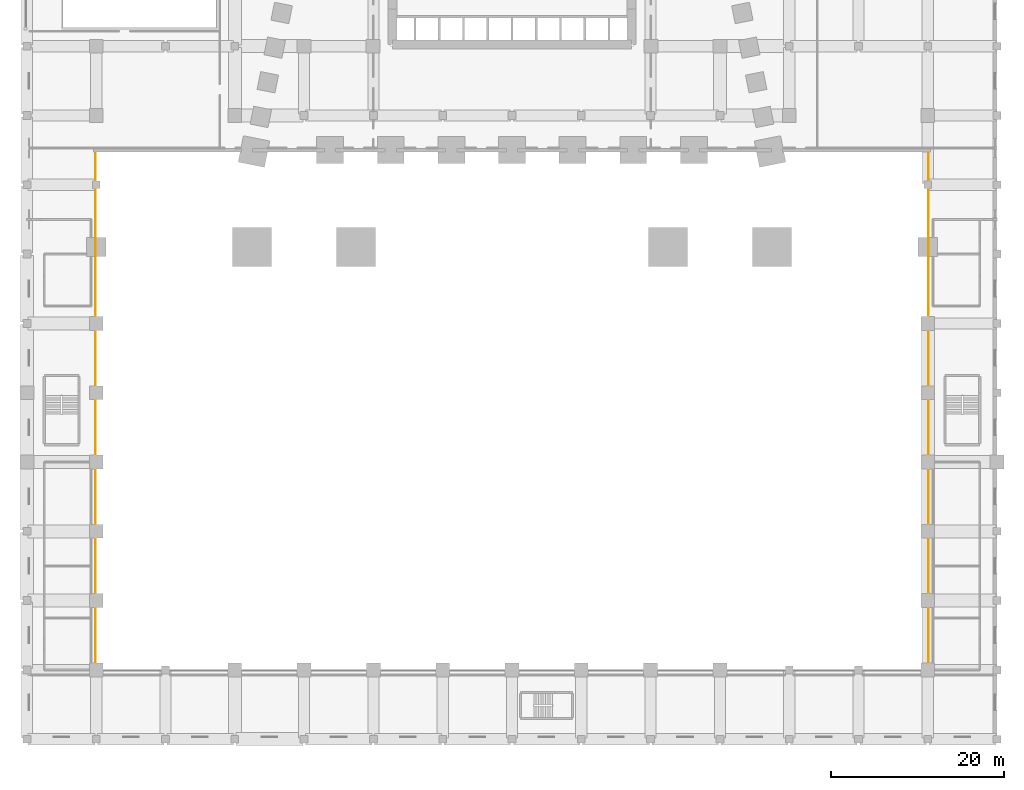
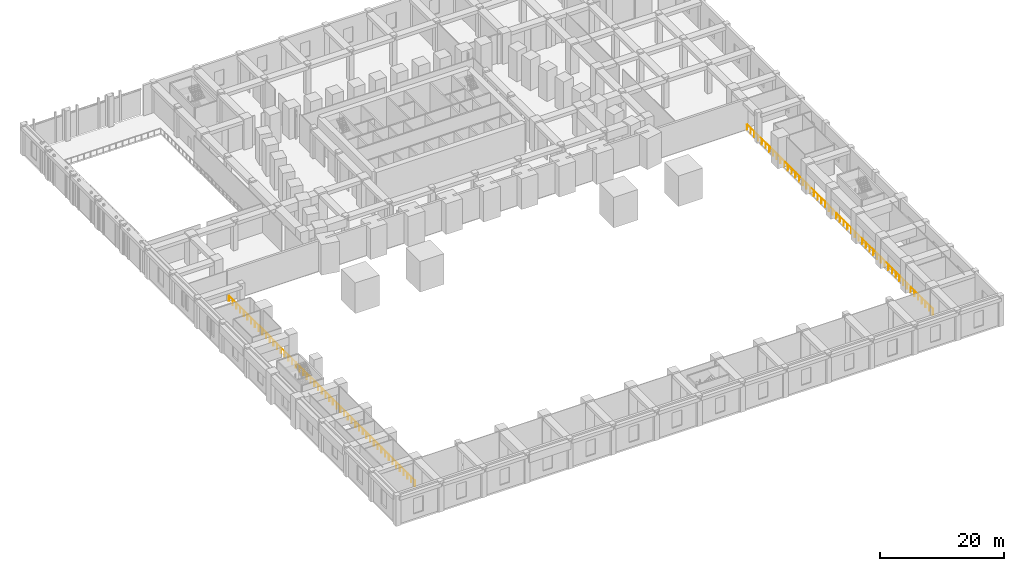
# One storey, part 19 of 25: 2 railings.
"""IFC4 building model written with IfcOpenShell, lengths in metres."""

from ifc_helpers import new_model, si_unit, direction, frame, origin, origin_2d, place, context, subcontext, project, spatial, circle, extrude, material, type_object, element, save


model = new_model("IFC4")

# Units and contexts
model_context = context("Model", 3, precision=1e-05, world=origin(), true_north=direction((0.0, 1.0)))
body_context = subcontext(model_context, "Body", "Model", "MODEL_VIEW")
ifc_project = project(units=[si_unit("LENGTHUNIT", "METRE"), si_unit("AREAUNIT", "SQUARE_METRE"), si_unit("VOLUMEUNIT", "CUBIC_METRE"), si_unit("PLANEANGLEUNIT", "RADIAN"), si_unit("MASSUNIT", "GRAM", prefix="KILO")], contexts=[model_context])

# Site, building, storey
site_placement = place(None, origin())
site = spatial("IfcSite", under=ifc_project, at=site_placement, CompositionType="ELEMENT")
building_placement = place(site_placement, origin())
building = spatial("IfcBuilding", under=site, at=building_placement, Name="Isbrekke Arena Tower", CompositionType="ELEMENT")
storey_placement = place(building_placement, frame((0.0, 0.0, 6.0)))
storey = spatial("IfcBuildingStorey", under=building, at=storey_placement, Name="L01", CompositionType="ELEMENT", Elevation=6.0)

# Railings
ifc_material = material(Name="Laminated glass balustrade, steel handrail", Category="steel")
railing_type = type_object("IfcRailingType", Name="GR1 GUARD 1100 GLASS BALUSTRADE", PredefinedType="BALUSTRADE", material=ifc_material)
railing_1_placement = place(storey_placement, frame((48.10009765625, -6.300048828125, 0.0)))
element("IfcRailing", 1, at=railing_1_placement, inside=storey, type_object=railing_type, Name="GR1 arena front guard E L01", PredefinedType="BALUSTRADE", context=body_context, shape_type="SweptSolid", body=[
    extrude(circle(Radius=0.02392578125, at=origin_2d()), frame((0.0, 0.0, 1.076171875), z_axis=(0.0, -1.0, 0.0), x_axis=(1.0, 0.0, 0.0)), (0.0, 0.0, 1.0), 59.800048828125),
    extrude(circle(Radius=0.02099609375, at=origin_2d()), origin(), (0.0, 0.0, 1.0), 1.052001953125),
    extrude(circle(Radius=0.02099609375, at=origin_2d()), frame((0.0, -1.196044921875, 0.0)), (0.0, 0.0, 1.0), 1.052001953125),
    extrude(circle(Radius=0.02099609375, at=origin_2d()), frame((0.0, -2.39208984375, 0.0)), (0.0, 0.0, 1.0), 1.052001953125),
    extrude(circle(Radius=0.02099609375, at=origin_2d()), frame((0.0, -3.587890625, 0.0)), (0.0, 0.0, 1.0), 1.052001953125),
    extrude(circle(Radius=0.02099609375, at=origin_2d()), frame((0.0, -4.783935546875, 0.0)), (0.0, 0.0, 1.0), 1.052001953125),
    extrude(circle(Radius=0.02099609375, at=origin_2d()), frame((0.0, -5.97998046875, 0.0)), (0.0, 0.0, 1.0), 1.052001953125),
    extrude(circle(Radius=0.02099609375, at=origin_2d()), frame((0.0, -7.176025390625, 0.0)), (0.0, 0.0, 1.0), 1.052001953125),
    extrude(circle(Radius=0.02099609375, at=origin_2d()), frame((0.0, -8.3720703125, 0.0)), (0.0, 0.0, 1.0), 1.052001953125),
    extrude(circle(Radius=0.02099609375, at=origin_2d()), frame((0.0, -9.568115234375, 0.0)), (0.0, 0.0, 1.0), 1.052001953125),
    extrude(circle(Radius=0.02099609375, at=origin_2d()), frame((0.0, -10.763916015625, 0.0)), (0.0, 0.0, 1.0), 1.052001953125),
    extrude(circle(Radius=0.02099609375, at=origin_2d()), frame((0.0, -11.9599609375, 0.0)), (0.0, 0.0, 1.0), 1.052001953125),
    extrude(circle(Radius=0.02099609375, at=origin_2d()), frame((0.0, -13.156005859375, 0.0)), (0.0, 0.0, 1.0), 1.052001953125),
    extrude(circle(Radius=0.02099609375, at=origin_2d()), frame((0.0, -14.35205078125, 0.0)), (0.0, 0.0, 1.0), 1.052001953125),
    extrude(circle(Radius=0.02099609375, at=origin_2d()), frame((0.0, -15.548095703125, 0.0)), (0.0, 0.0, 1.0), 1.052001953125),
    extrude(circle(Radius=0.02099609375, at=origin_2d()), frame((0.0, -16.743896484375, 0.0)), (0.0, 0.0, 1.0), 1.052001953125),
    extrude(circle(Radius=0.02099609375, at=origin_2d()), frame((0.0, -17.93994140625, 0.0)), (0.0, 0.0, 1.0), 1.052001953125),
    extrude(circle(Radius=0.02099609375, at=origin_2d()), frame((0.0, -19.135986328125, 0.0)), (0.0, 0.0, 1.0), 1.052001953125),
    extrude(circle(Radius=0.02099609375, at=origin_2d()), frame((0.0, -20.33203125, 0.0)), (0.0, 0.0, 1.0), 1.052001953125),
    extrude(circle(Radius=0.02099609375, at=origin_2d()), frame((0.0, -21.528076171875, 0.0)), (0.0, 0.0, 1.0), 1.052001953125),
    extrude(circle(Radius=0.02099609375, at=origin_2d()), frame((0.0, -22.72412109375, 0.0)), (0.0, 0.0, 1.0), 1.052001953125),
    extrude(circle(Radius=0.02099609375, at=origin_2d()), frame((0.0, -23.919921875, 0.0)), (0.0, 0.0, 1.0), 1.052001953125),
    extrude(circle(Radius=0.02099609375, at=origin_2d()), frame((0.0, -25.115966796875, 0.0)), (0.0, 0.0, 1.0), 1.052001953125),
    extrude(circle(Radius=0.02099609375, at=origin_2d()), frame((0.0, -26.31201171875, 0.0)), (0.0, 0.0, 1.0), 1.052001953125),
    extrude(circle(Radius=0.02099609375, at=origin_2d()), frame((0.0, -27.508056640625, 0.0)), (0.0, 0.0, 1.0), 1.052001953125),
    extrude(circle(Radius=0.02099609375, at=origin_2d()), frame((0.0, -28.7041015625, 0.0)), (0.0, 0.0, 1.0), 1.052001953125),
    extrude(circle(Radius=0.02099609375, at=origin_2d()), frame((0.0, -29.89990234375, 0.0)), (0.0, 0.0, 1.0), 1.052001953125),
    extrude(circle(Radius=0.02099609375, at=origin_2d()), frame((0.0, -31.095947265625, 0.0)), (0.0, 0.0, 1.0), 1.052001953125),
    extrude(circle(Radius=0.02099609375, at=origin_2d()), frame((0.0, -32.2919921875, 0.0)), (0.0, 0.0, 1.0), 1.052001953125),
    extrude(circle(Radius=0.02099609375, at=origin_2d()), frame((0.0, -33.488037109375, 0.0)), (0.0, 0.0, 1.0), 1.052001953125),
    extrude(circle(Radius=0.02099609375, at=origin_2d()), frame((0.0, -34.68408203125, 0.0)), (0.0, 0.0, 1.0), 1.052001953125),
    extrude(circle(Radius=0.02099609375, at=origin_2d()), frame((0.0, -35.880126953125, 0.0)), (0.0, 0.0, 1.0), 1.052001953125),
    extrude(circle(Radius=0.02099609375, at=origin_2d()), frame((0.0, -37.075927734375, 0.0)), (0.0, 0.0, 1.0), 1.052001953125),
    extrude(circle(Radius=0.02099609375, at=origin_2d()), frame((0.0, -38.27197265625, 0.0)), (0.0, 0.0, 1.0), 1.052001953125),
    extrude(circle(Radius=0.02099609375, at=origin_2d()), frame((0.0, -39.468017578125, 0.0)), (0.0, 0.0, 1.0), 1.052001953125),
    extrude(circle(Radius=0.02099609375, at=origin_2d()), frame((0.0, -40.6640625, 0.0)), (0.0, 0.0, 1.0), 1.052001953125),
    extrude(circle(Radius=0.02099609375, at=origin_2d()), frame((0.0, -41.860107421875, 0.0)), (0.0, 0.0, 1.0), 1.052001953125),
    extrude(circle(Radius=0.02099609375, at=origin_2d()), frame((0.0, -43.05615234375, 0.0)), (0.0, 0.0, 1.0), 1.052001953125),
    extrude(circle(Radius=0.02099609375, at=origin_2d()), frame((0.0, -44.251953125, 0.0)), (0.0, 0.0, 1.0), 1.052001953125),
    extrude(circle(Radius=0.02099609375, at=origin_2d()), frame((0.0, -45.447998046875, 0.0)), (0.0, 0.0, 1.0), 1.052001953125),
    extrude(circle(Radius=0.02099609375, at=origin_2d()), frame((0.0, -46.64404296875, 0.0)), (0.0, 0.0, 1.0), 1.052001953125),
    extrude(circle(Radius=0.02099609375, at=origin_2d()), frame((0.0, -47.840087890625, 0.0)), (0.0, 0.0, 1.0), 1.052001953125),
    extrude(circle(Radius=0.02099609375, at=origin_2d()), frame((0.0, -49.0361328125, 0.0)), (0.0, 0.0, 1.0), 1.052001953125),
    extrude(circle(Radius=0.02099609375, at=origin_2d()), frame((0.0, -50.23193359375, 0.0)), (0.0, 0.0, 1.0), 1.052001953125),
    extrude(circle(Radius=0.02099609375, at=origin_2d()), frame((0.0, -51.427978515625, 0.0)), (0.0, 0.0, 1.0), 1.052001953125),
    extrude(circle(Radius=0.02099609375, at=origin_2d()), frame((0.0, -52.6240234375, 0.0)), (0.0, 0.0, 1.0), 1.052001953125),
    extrude(circle(Radius=0.02099609375, at=origin_2d()), frame((0.0, -53.820068359375, 0.0)), (0.0, 0.0, 1.0), 1.052001953125),
    extrude(circle(Radius=0.02099609375, at=origin_2d()), frame((0.0, -55.01611328125, 0.0)), (0.0, 0.0, 1.0), 1.052001953125),
    extrude(circle(Radius=0.02099609375, at=origin_2d()), frame((0.0, -56.212158203125, 0.0)), (0.0, 0.0, 1.0), 1.052001953125),
    extrude(circle(Radius=0.02099609375, at=origin_2d()), frame((0.0, -57.407958984375, 0.0)), (0.0, 0.0, 1.0), 1.052001953125),
    extrude(circle(Radius=0.02099609375, at=origin_2d()), frame((0.0, -58.60400390625, 0.0)), (0.0, 0.0, 1.0), 1.052001953125),
    extrude(circle(Radius=0.02099609375, at=origin_2d()), frame((0.0, -59.800048828125, 0.0)), (0.0, 0.0, 1.0), 1.052001953125),
])
railing_2_placement = place(storey_placement, frame((-48.10009765625, -66.10009765625, 0.0)))
element("IfcRailing", 2, at=railing_2_placement, inside=storey, type_object=railing_type, Name="GR1 arena front guard W L01", PredefinedType="BALUSTRADE", context=body_context, shape_type="SweptSolid", body=[
    extrude(circle(Radius=0.02392578125, at=origin_2d()), frame((0.0, 0.0, 1.076171875), z_axis=(0.0, 1.0, 0.0), x_axis=(-1.0, 0.0, 0.0)), (0.0, 0.0, 1.0), 59.800048828125),
    extrude(circle(Radius=0.02099609375, at=origin_2d()), origin(), (0.0, 0.0, 1.0), 1.052001953125),
    extrude(circle(Radius=0.02099609375, at=origin_2d()), frame((0.0, 1.196044921875, 0.0)), (0.0, 0.0, 1.0), 1.052001953125),
    extrude(circle(Radius=0.02099609375, at=origin_2d()), frame((0.0, 2.39208984375, 0.0)), (0.0, 0.0, 1.0), 1.052001953125),
    extrude(circle(Radius=0.02099609375, at=origin_2d()), frame((0.0, 3.587890625, 0.0)), (0.0, 0.0, 1.0), 1.052001953125),
    extrude(circle(Radius=0.02099609375, at=origin_2d()), frame((0.0, 4.783935546875, 0.0)), (0.0, 0.0, 1.0), 1.052001953125),
    extrude(circle(Radius=0.02099609375, at=origin_2d()), frame((0.0, 5.97998046875, 0.0)), (0.0, 0.0, 1.0), 1.052001953125),
    extrude(circle(Radius=0.02099609375, at=origin_2d()), frame((0.0, 7.176025390625, 0.0)), (0.0, 0.0, 1.0), 1.052001953125),
    extrude(circle(Radius=0.02099609375, at=origin_2d()), frame((0.0, 8.3720703125, 0.0)), (0.0, 0.0, 1.0), 1.052001953125),
    extrude(circle(Radius=0.02099609375, at=origin_2d()), frame((0.0, 9.568115234375, 0.0)), (0.0, 0.0, 1.0), 1.052001953125),
    extrude(circle(Radius=0.02099609375, at=origin_2d()), frame((0.0, 10.763916015625, 0.0)), (0.0, 0.0, 1.0), 1.052001953125),
    extrude(circle(Radius=0.02099609375, at=origin_2d()), frame((0.0, 11.9599609375, 0.0)), (0.0, 0.0, 1.0), 1.052001953125),
    extrude(circle(Radius=0.02099609375, at=origin_2d()), frame((0.0, 13.156005859375, 0.0)), (0.0, 0.0, 1.0), 1.052001953125),
    extrude(circle(Radius=0.02099609375, at=origin_2d()), frame((0.0, 14.35205078125, 0.0)), (0.0, 0.0, 1.0), 1.052001953125),
    extrude(circle(Radius=0.02099609375, at=origin_2d()), frame((0.0, 15.548095703125, 0.0)), (0.0, 0.0, 1.0), 1.052001953125),
    extrude(circle(Radius=0.02099609375, at=origin_2d()), frame((0.0, 16.743896484375, 0.0)), (0.0, 0.0, 1.0), 1.052001953125),
    extrude(circle(Radius=0.02099609375, at=origin_2d()), frame((0.0, 17.93994140625, 0.0)), (0.0, 0.0, 1.0), 1.052001953125),
    extrude(circle(Radius=0.02099609375, at=origin_2d()), frame((0.0, 19.135986328125, 0.0)), (0.0, 0.0, 1.0), 1.052001953125),
    extrude(circle(Radius=0.02099609375, at=origin_2d()), frame((0.0, 20.33203125, 0.0)), (0.0, 0.0, 1.0), 1.052001953125),
    extrude(circle(Radius=0.02099609375, at=origin_2d()), frame((0.0, 21.528076171875, 0.0)), (0.0, 0.0, 1.0), 1.052001953125),
    extrude(circle(Radius=0.02099609375, at=origin_2d()), frame((0.0, 22.72412109375, 0.0)), (0.0, 0.0, 1.0), 1.052001953125),
    extrude(circle(Radius=0.02099609375, at=origin_2d()), frame((0.0, 23.919921875, 0.0)), (0.0, 0.0, 1.0), 1.052001953125),
    extrude(circle(Radius=0.02099609375, at=origin_2d()), frame((0.0, 25.115966796875, 0.0)), (0.0, 0.0, 1.0), 1.052001953125),
    extrude(circle(Radius=0.02099609375, at=origin_2d()), frame((0.0, 26.31201171875, 0.0)), (0.0, 0.0, 1.0), 1.052001953125),
    extrude(circle(Radius=0.02099609375, at=origin_2d()), frame((0.0, 27.508056640625, 0.0)), (0.0, 0.0, 1.0), 1.052001953125),
    extrude(circle(Radius=0.02099609375, at=origin_2d()), frame((0.0, 28.7041015625, 0.0)), (0.0, 0.0, 1.0), 1.052001953125),
    extrude(circle(Radius=0.02099609375, at=origin_2d()), frame((0.0, 29.89990234375, 0.0)), (0.0, 0.0, 1.0), 1.052001953125),
    extrude(circle(Radius=0.02099609375, at=origin_2d()), frame((0.0, 31.095947265625, 0.0)), (0.0, 0.0, 1.0), 1.052001953125),
    extrude(circle(Radius=0.02099609375, at=origin_2d()), frame((0.0, 32.2919921875, 0.0)), (0.0, 0.0, 1.0), 1.052001953125),
    extrude(circle(Radius=0.02099609375, at=origin_2d()), frame((0.0, 33.488037109375, 0.0)), (0.0, 0.0, 1.0), 1.052001953125),
    extrude(circle(Radius=0.02099609375, at=origin_2d()), frame((0.0, 34.68408203125, 0.0)), (0.0, 0.0, 1.0), 1.052001953125),
    extrude(circle(Radius=0.02099609375, at=origin_2d()), frame((0.0, 35.880126953125, 0.0)), (0.0, 0.0, 1.0), 1.052001953125),
    extrude(circle(Radius=0.02099609375, at=origin_2d()), frame((0.0, 37.075927734375, 0.0)), (0.0, 0.0, 1.0), 1.052001953125),
    extrude(circle(Radius=0.02099609375, at=origin_2d()), frame((0.0, 38.27197265625, 0.0)), (0.0, 0.0, 1.0), 1.052001953125),
    extrude(circle(Radius=0.02099609375, at=origin_2d()), frame((0.0, 39.468017578125, 0.0)), (0.0, 0.0, 1.0), 1.052001953125),
    extrude(circle(Radius=0.02099609375, at=origin_2d()), frame((0.0, 40.6640625, 0.0)), (0.0, 0.0, 1.0), 1.052001953125),
    extrude(circle(Radius=0.02099609375, at=origin_2d()), frame((0.0, 41.860107421875, 0.0)), (0.0, 0.0, 1.0), 1.052001953125),
    extrude(circle(Radius=0.02099609375, at=origin_2d()), frame((0.0, 43.05615234375, 0.0)), (0.0, 0.0, 1.0), 1.052001953125),
    extrude(circle(Radius=0.02099609375, at=origin_2d()), frame((0.0, 44.251953125, 0.0)), (0.0, 0.0, 1.0), 1.052001953125),
    extrude(circle(Radius=0.02099609375, at=origin_2d()), frame((0.0, 45.447998046875, 0.0)), (0.0, 0.0, 1.0), 1.052001953125),
    extrude(circle(Radius=0.02099609375, at=origin_2d()), frame((0.0, 46.64404296875, 0.0)), (0.0, 0.0, 1.0), 1.052001953125),
    extrude(circle(Radius=0.02099609375, at=origin_2d()), frame((0.0, 47.840087890625, 0.0)), (0.0, 0.0, 1.0), 1.052001953125),
    extrude(circle(Radius=0.02099609375, at=origin_2d()), frame((0.0, 49.0361328125, 0.0)), (0.0, 0.0, 1.0), 1.052001953125),
    extrude(circle(Radius=0.02099609375, at=origin_2d()), frame((0.0, 50.23193359375, 0.0)), (0.0, 0.0, 1.0), 1.052001953125),
    extrude(circle(Radius=0.02099609375, at=origin_2d()), frame((0.0, 51.427978515625, 0.0)), (0.0, 0.0, 1.0), 1.052001953125),
    extrude(circle(Radius=0.02099609375, at=origin_2d()), frame((0.0, 52.6240234375, 0.0)), (0.0, 0.0, 1.0), 1.052001953125),
    extrude(circle(Radius=0.02099609375, at=origin_2d()), frame((0.0, 53.820068359375, 0.0)), (0.0, 0.0, 1.0), 1.052001953125),
    extrude(circle(Radius=0.02099609375, at=origin_2d()), frame((0.0, 55.01611328125, 0.0)), (0.0, 0.0, 1.0), 1.052001953125),
    extrude(circle(Radius=0.02099609375, at=origin_2d()), frame((0.0, 56.212158203125, 0.0)), (0.0, 0.0, 1.0), 1.052001953125),
    extrude(circle(Radius=0.02099609375, at=origin_2d()), frame((0.0, 57.407958984375, 0.0)), (0.0, 0.0, 1.0), 1.052001953125),
    extrude(circle(Radius=0.02099609375, at=origin_2d()), frame((0.0, 58.60400390625, 0.0)), (0.0, 0.0, 1.0), 1.052001953125),
    extrude(circle(Radius=0.02099609375, at=origin_2d()), frame((0.0, 59.800048828125, 0.0)), (0.0, 0.0, 1.0), 1.052001953125),
])

save(model, "model.ifc")
